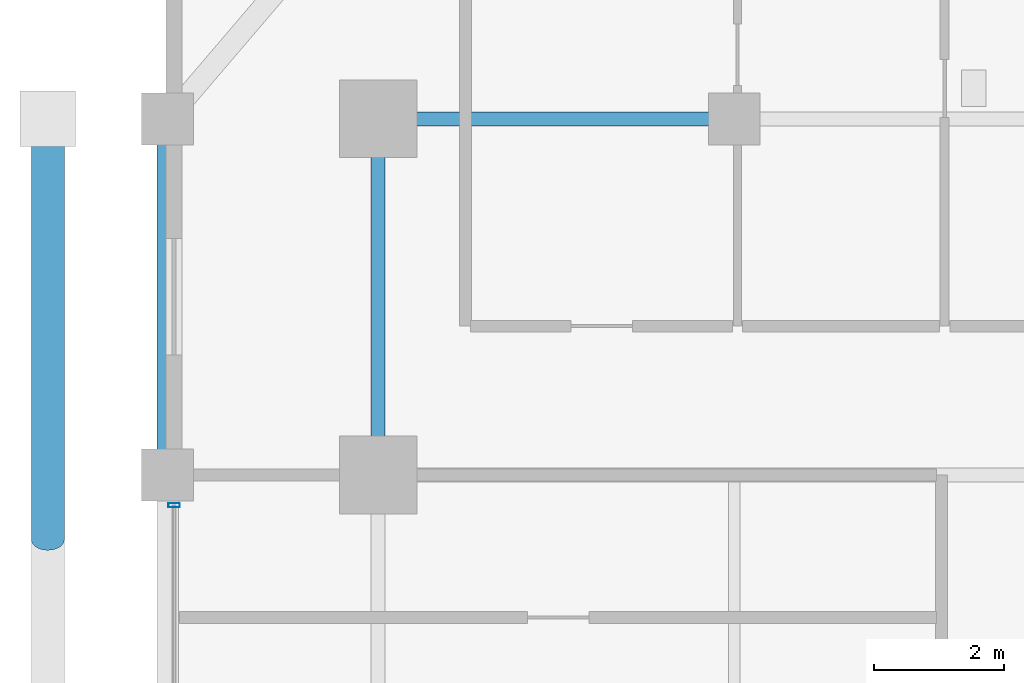
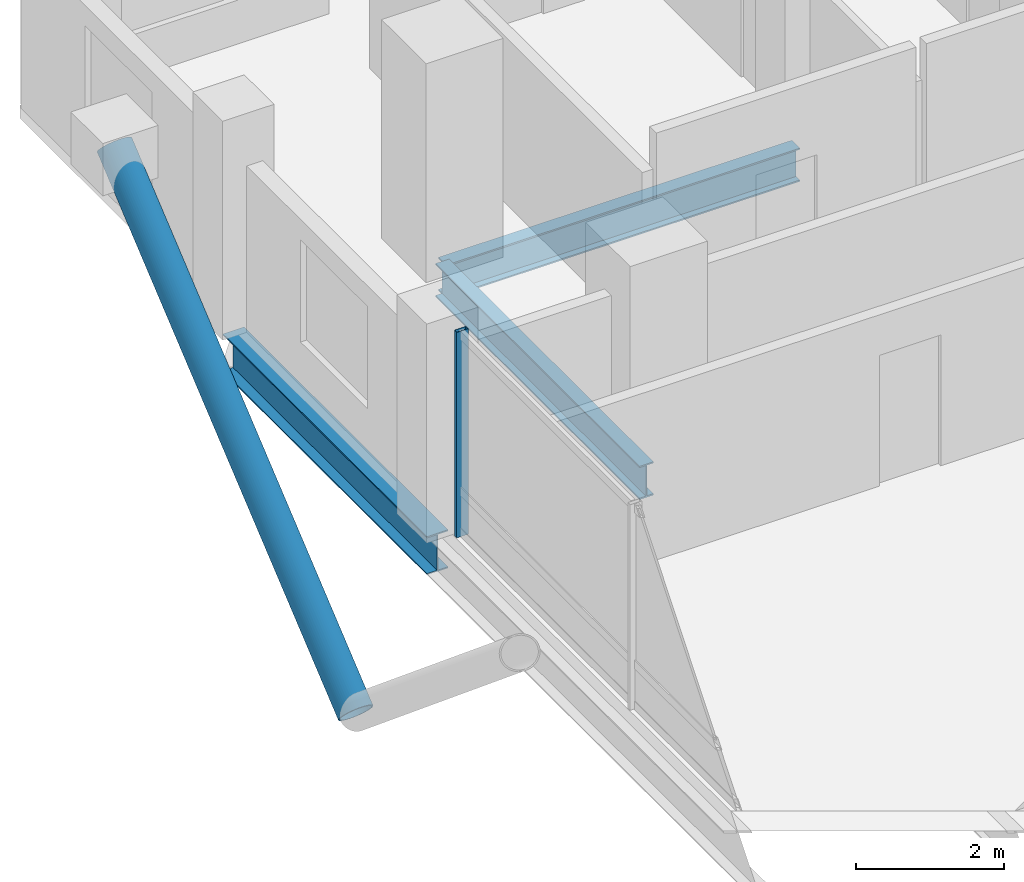
# One storey, part 11 of 23: 3 beams, 2 members, 1 element without a shape of its own.
"""IFC4 building model written with IfcOpenShell, lengths in metres."""

import ifcopenshell
import ifcopenshell.guid

model = None  # the IFC model being written
_history = None  # IfcOwnerHistory: only IFC2X3 demands one
_inside = {}  # id of a spatial element -> (the spatial element, [elements in it])
_under = {}  # id of a project, library or spatial element -> (it, [spatial elements below it])
_declared = {}  # id of a project -> (the project, [libraries it declares])
_typed = {}  # id of a type object -> (the type object, [elements of that type])
_made_of = {}  # id of a material, layer set ... -> (it, [elements and type objects made of it])


def new_model(schema):
    """Start an empty IFC model of exactly this schema.

    Asked for "IFC4X3", IfcOpenShell would pick the latest addendum, in which some entities
    have other attributes; the version numbers below select the first issue.
    IFC2X3 requires an IfcOwnerHistory on every rooted entity: one is made here for all.
    """
    global model, _history
    if schema == "IFC4X3":
        model = ifcopenshell.file(schema_version=(4, 3, 0, 0))
    else:
        model = ifcopenshell.file(schema=schema)
    _inside.clear()
    _under.clear()
    _declared.clear()
    _typed.clear()
    _made_of.clear()
    _history = None
    if model.schema == "IFC2X3":
        org = make("IfcOrganization", Name="unknown")
        user = make(
            "IfcPersonAndOrganization",
            ThePerson=make("IfcPerson", FamilyName="unknown"),
            TheOrganization=org,
        )
        app = make(
            "IfcApplication",
            ApplicationDeveloper=org,
            Version="unknown",
            ApplicationFullName="unknown",
            ApplicationIdentifier="unknown",
        )
        _history = make(
            "IfcOwnerHistory",
            OwningUser=user,
            OwningApplication=app,
            ChangeAction="ADDED",
            CreationDate=0,
        )
    return model


def make(cls, **values):
    """One entity of the class cls with the attributes given. An attribute that is None is left unset."""
    return model.create_entity(
        cls, **{name: value for name, value in values.items() if value is not None}
    )


def rooted(cls, **values):
    """An entity with a GlobalId (a new one), such as an element, a storey or a relation."""
    return make(cls, GlobalId=ifcopenshell.guid.new(), OwnerHistory=_history, **values)


def si_unit(unit_type, name, prefix=None):
    """IfcSIUnit, for example si_unit("LENGTHUNIT", "METRE", prefix="MILLI")."""
    return make("IfcSIUnit", UnitType=unit_type, Prefix=prefix, Name=name)


def assignment(units):
    """IfcUnitAssignment: the units of a project."""
    return None if units is None else make("IfcUnitAssignment", Units=units)


def point(xyz):
    """IfcCartesianPoint."""
    return None if xyz is None else make("IfcCartesianPoint", Coordinates=xyz)


def direction(xyz):
    """IfcDirection."""
    return None if xyz is None else make("IfcDirection", DirectionRatios=xyz)


def frame(location, z_axis=None, x_axis=None):
    """IfcAxis2Placement3D, a coordinate frame: its origin and axes. An axis left out is left unset."""
    return make(
        "IfcAxis2Placement3D",
        Location=point(location),
        Axis=direction(z_axis),
        RefDirection=direction(x_axis),
    )


def frame_2d(location, x_axis=None):
    """IfcAxis2Placement2D, a coordinate frame in the plane: its origin and x axis."""
    return make(
        "IfcAxis2Placement2D", Location=point(location), RefDirection=direction(x_axis)
    )


def origin():
    """The frame at (0, 0, 0) with its axes left unset."""
    return frame((0.0, 0.0, 0.0))


def origin_2d():
    """The frame at (0, 0) in the plane with its x axis left unset."""
    return frame_2d((0.0, 0.0))


def place(relative_to, where):
    """IfcLocalPlacement: puts the frame where relative to a parent placement (None: the world)."""
    return make(
        "IfcLocalPlacement", PlacementRelTo=relative_to, RelativePlacement=where
    )


def context(
    kind, dimensions, precision=None, world=None, true_north=None, identifier=None
):
    """IfcGeometricRepresentationContext, for example the 3D "Model" context."""
    return make(
        "IfcGeometricRepresentationContext",
        ContextIdentifier=identifier,
        ContextType=kind,
        CoordinateSpaceDimension=dimensions,
        Precision=precision,
        WorldCoordinateSystem=world,
        TrueNorth=true_north,
    )


def subcontext(parent, identifier, kind, view, scale=None):
    """IfcGeometricRepresentationSubContext, for example "Body" below "Model"."""
    return make(
        "IfcGeometricRepresentationSubContext",
        ContextIdentifier=identifier,
        ContextType=kind,
        ParentContext=parent,
        TargetScale=scale,
        TargetView=view,
    )


def project(units=None, contexts=None):
    """IfcProject with its units and contexts."""
    return rooted(
        "IfcProject",
        Name="project",
        RepresentationContexts=contexts,
        UnitsInContext=assignment(units),
    )


def spatial(cls, under=None, at=None, **own):
    """A site, building, storey or space (cls), placed at a placement, below another one or the project."""
    s = rooted(cls, ObjectPlacement=at, **own)
    if under is not None:
        _under.setdefault(under.id(), (under, []))[1].append(s)
    return s


def profile(cls, at=None, kind="AREA", **sizes):
    """A parametric profile (cls). Its sizes go by their IFC names, for example OverallWidth=200.0."""
    return make(cls, ProfileType=kind, Position=at, **sizes)


def hollow_rectangle(**sizes):
    """IfcRectangleHollowProfileDef."""
    return profile("IfcRectangleHollowProfileDef", **sizes)


def hollow_circle(**sizes):
    """IfcCircleHollowProfileDef."""
    return profile("IfcCircleHollowProfileDef", **sizes)


def i_section(**sizes):
    """IfcIShapeProfileDef."""
    return profile("IfcIShapeProfileDef", **sizes)


def extrude(swept, where, along, depth):
    """IfcExtrudedAreaSolid: the profile swept, set in the frame where, extruded along a direction by depth."""
    return make(
        "IfcExtrudedAreaSolid",
        SweptArea=swept,
        Position=where,
        ExtrudedDirection=direction(along),
        Depth=depth,
    )


def shape(context_of_items, identifier, shape_type, items):
    """IfcShapeRepresentation: the items that make up one representation, for example the "Body"."""
    return make(
        "IfcShapeRepresentation",
        ContextOfItems=context_of_items,
        RepresentationIdentifier=identifier,
        RepresentationType=shape_type,
        Items=items,
    )


def material(Name=None, Category=None):
    """IfcMaterial."""
    return make("IfcMaterial", Name=Name, Category=Category)


def layer(
    of_material, thickness, ventilated=None, Name=None, Category=None, Priority=None
):
    """IfcMaterialLayer: one layer of a wall or slab, of a material (None: an air gap)."""
    return make(
        "IfcMaterialLayer",
        Material=of_material,
        LayerThickness=thickness,
        IsVentilated=ventilated,
        Name=Name,
        Category=Category,
        Priority=Priority,
    )


def layer_set(layers, Name=None):
    """IfcMaterialLayerSet."""
    return make("IfcMaterialLayerSet", MaterialLayers=layers, LayerSetName=Name)


def material_profile(
    of_material, cross_section, Name=None, Category=None, Priority=None
):
    """IfcMaterialProfile: a cross section and its material."""
    return make(
        "IfcMaterialProfile",
        Name=Name,
        Material=of_material,
        Profile=cross_section,
        Priority=Priority,
        Category=Category,
    )


def profile_set(profiles, Name=None, composite=None):
    """IfcMaterialProfileSet."""
    return make(
        "IfcMaterialProfileSet",
        Name=Name,
        MaterialProfiles=profiles,
        CompositeProfile=composite,
    )


def made_of(thing, what):
    """Note that an element or type object is made of a material, layer set ...; save() writes the relation."""
    if what is not None:
        _made_of.setdefault(what.id(), (what, []))[1].append(thing)
    return thing


def type_object(cls, material=None, **own):
    """A type object (cls), such as IfcWallType, which elements share."""
    return made_of(rooted(cls, **own), material)


def element(
    cls,
    number,
    at=None,
    inside=None,
    cuts=None,
    type_object=None,
    material=None,
    context=None,
    identifier="Body",
    shape_type=None,
    held_by="IfcProductDefinitionShape",
    body=None,
    shapes=None,
    **own,
):
    """One element of the class cls, such as IfcWall. Its Tag is "e" and its number.

    at: its placement. inside: the storey or other place that contains it. cuts: it is an
    opening in that element (IfcRelVoidsElement). A single representation is given by context,
    identifier, shape_type and body (its items); several are given by shapes. held_by: the class
    of the entity that holds the representations. save() writes the other relations.
    """
    e = rooted(cls, Tag="e%d" % number, ObjectPlacement=at, **own)
    if body is not None:
        shapes = [shape(context, identifier, shape_type, body)]
    if shapes is not None:
        e.Representation = make(held_by, Representations=shapes)
    if inside is not None:
        _inside.setdefault(inside.id(), (inside, []))[1].append(e)
    if cuts is not None:
        rooted(
            "IfcRelVoidsElement", RelatingBuildingElement=cuts, RelatedOpeningElement=e
        )
    if type_object is not None:
        _typed.setdefault(type_object.id(), (type_object, []))[1].append(e)
    return made_of(e, material)


def aggregate(whole, parts):
    """IfcRelAggregates: a whole, such as a stair, and the parts it consists of."""
    return rooted("IfcRelAggregates", RelatingObject=whole, RelatedObjects=parts)


def save(model, path):
    """Write the relations noted so far, then the file.

    IfcRelAggregates (storeys below a building ...), IfcRelContainedInSpatialStructure (elements
    in a storey), IfcRelDefinesByType, IfcRelAssociatesMaterial and IfcRelDeclares: one each for
    every whole, place, type object, material and project.
    """
    for whole, parts in _under.values():
        aggregate(whole, parts)
    for where, things in _inside.values():
        rooted(
            "IfcRelContainedInSpatialStructure",
            RelatedElements=things,
            RelatingStructure=where,
        )
    for kind, things in _typed.values():
        rooted("IfcRelDefinesByType", RelatedObjects=things, RelatingType=kind)
    for what, things in _made_of.values():
        rooted("IfcRelAssociatesMaterial", RelatedObjects=things, RelatingMaterial=what)
    for by, libraries in _declared.values():
        rooted("IfcRelDeclares", RelatingContext=by, RelatedDefinitions=libraries)
    model.write(path)


model = new_model("IFC4")

# Units and contexts
model_context = context("Model", 3, precision=1e-05, world=origin(), true_north=direction((0.0, 1.0)))
body_context = subcontext(model_context, "Body", "Model", "MODEL_VIEW")
ifc_project = project(units=[si_unit("LENGTHUNIT", "METRE"), si_unit("AREAUNIT", "SQUARE_METRE"), si_unit("VOLUMEUNIT", "CUBIC_METRE"), si_unit("PLANEANGLEUNIT", "RADIAN"), si_unit("MASSUNIT", "GRAM", prefix="KILO")], contexts=[model_context])

# Site, building, storey
site_placement = place(None, origin())
site = spatial("IfcSite", under=ifc_project, at=site_placement, CompositionType="ELEMENT")
building_placement = place(site_placement, origin())
building = spatial("IfcBuilding", under=site, at=building_placement, Name="Barlavira Tower and Art Museum", CompositionType="ELEMENT")
storey_placement = place(building_placement, frame((0.0, 0.0, 151.199951171875)))
storey = spatial("IfcBuildingStorey", under=building, at=storey_placement, Name="L38", CompositionType="ELEMENT", Elevation=151.199951171875)

# Curtain wall, member
ifc_material_1 = material(Name="Low-iron coastal laminated glass", Category="glass")
ifc_layer = layer(ifc_material_1, 0.18994140625, Name="Low-iron coastal laminated glass")
ifc_layer_set = layer_set([ifc_layer], Name="Low-iron coastal laminated glass")
curtain_wall_type = type_object("IfcCurtainWallType", Name="Pale-Metal Unitised Curtain Wall Zone 2", PredefinedType="NOTDEFINED", material=ifc_layer_set)
curtain_wall_placement = place(storey_placement, origin())
curtain_wall = element("IfcCurtainWall", 1, at=curtain_wall_placement, inside=storey, type_object=curtain_wall_type, Name="L38 Curtain Wall CW2-L38-W-B3", PredefinedType="NOTDEFINED")
ifc_material_2 = material(Name="Pale anodised aluminium", Category="aluminium")
ifc_material_profile_1 = material_profile(ifc_material_2, hollow_rectangle(XDim=0.06494140625, YDim=0.179931640625, WallThickness=0.00390625, at=origin_2d()), Name="ALU-MULL 65x180x4")
ifc_profile_set_1 = profile_set([ifc_material_profile_1], Name="Pale anodised aluminium")
member_type_1 = type_object("IfcMemberType", Name="Curtain Wall Pale-Metal Mullion 65x180", PredefinedType="MULLION", material=ifc_profile_set_1)
member_1_placement = place(storey_placement, frame((-20.14990234375, 7.034912109375, 0.0), z_axis=(0.0, 0.0, 1.0), x_axis=(0.0, -1.0, 0.0)))
member_1 = element("IfcMember", 2, at=member_1_placement, type_object=member_type_1, Name="CW2-L38-W-B3 Mullion 0", PredefinedType="MULLION", context=body_context, shape_type="SweptSolid", body=[
    extrude(hollow_rectangle(XDim=0.06494140625, YDim=0.179931640625, WallThickness=0.00390625, at=origin_2d()), origin(), (0.0, 0.0, 1.0), 3.380126953125),
])
aggregate(curtain_wall, [member_1])

# Member
ifc_material_3 = material(Name="Steel S355", Category="steel")
ifc_material_profile_2 = material_profile(ifc_material_3, hollow_circle(Radius=0.25390625, WallThickness=0.022216796875, at=origin_2d()), Name="CHS 508.0x22.2")
ifc_profile_set_2 = profile_set([ifc_material_profile_2], Name="Steel S355")
member_type_2 = type_object("IfcMemberType", Name="Pale-Metal Exoskeleton Diagrid Tube CHS 508x22 Steel S355", PredefinedType="BRACE", material=ifc_profile_set_2)
member_2_placement = place(storey_placement, frame((-22.10009765625, 6.5, -1.919921875), z_axis=(0.0, 0.769196053329, 0.639012857104), x_axis=(-1.0, 0.0, 0.0)))
element("IfcMember", 3, at=member_2_placement, inside=storey, type_object=member_type_2, Name="L38 Exoskeleton Diagrid Tube W", PredefinedType="BRACE", context=body_context, shape_type="SweptSolid", body=[
    extrude(hollow_circle(Radius=0.25390625, WallThickness=0.022216796875, at=origin_2d()), origin(), (0.0, 0.0, 1.0), 8.450439453125),
])

# Beams
ifc_material_profile_3 = material_profile(ifc_material_3, i_section(OverallWidth=0.327880859375, OverallDepth=0.62890625, WebThickness=0.013916015625, FlangeThickness=0.021484375, at=origin_2d()), Name="W610x174.0")
ifc_profile_set_3 = profile_set([ifc_material_profile_3], Name="Steel S355")
beam_type_1 = type_object("IfcBeamType", Name="Perimeter Spandrel Edge Beam W610x174 Steel S355", PredefinedType="SPANDREL", material=ifc_profile_set_3)
beam_placement = place(storey_placement, frame((-20.25, 7.5, -0.534423828125), z_axis=(0.0, 1.0, 0.0), x_axis=(-1.0, 0.0, 0.0)))
element("IfcBeam", 4, at=beam_placement, inside=storey, type_object=beam_type_1, Name="L38 Spandrel 13", PredefinedType="SPANDREL", context=body_context, shape_type="SweptSolid", body=[
    extrude(i_section(OverallWidth=0.327880859375, OverallDepth=0.62890625, WebThickness=0.013916015625, FlangeThickness=0.021484375, at=origin_2d()), origin(), (0.0, 0.0, 1.0), 5.5),
])
ifc_material_profile_4 = material_profile(ifc_material_3, i_section(OverallWidth=0.214111328125, OverallDepth=0.549072265625, WebThickness=0.0146484375, FlangeThickness=0.023681640625, at=origin_2d()), Name="W530x138.0")
ifc_profile_set_4 = profile_set([ifc_material_profile_4], Name="Steel S355")
beam_type_2 = type_object("IfcBeamType", Name="Zone 1 Primary Floor Girder W530x138 Steel S355", PredefinedType="BEAM", material=ifc_profile_set_4)
for number, where, z_axis, x_axis, name in (
    (5, (-17.0, 7.5, -0.494384765625), (0.0, 1.0, 0.0), (-1.0, 0.0, 0.0), "L38 Girder M-W3"),
    (6, (-17.0, 13.0, -0.494384765625), (1.0, 0.0, 0.0), (0.0, 1.0, 0.0), "L38 Girder I-N1"),
):
    element("IfcBeam", number, at=place(storey_placement, frame(where, z_axis=z_axis, x_axis=x_axis)), inside=storey, type_object=beam_type_2, Name=name, PredefinedType="BEAM", context=body_context, shape_type="SweptSolid", body=[
        extrude(i_section(OverallWidth=0.214111328125, OverallDepth=0.549072265625, WebThickness=0.0146484375, FlangeThickness=0.023681640625, at=origin_2d()), origin(), (0.0, 0.0, 1.0), 5.5),
    ])

save(model, "model.ifc")
